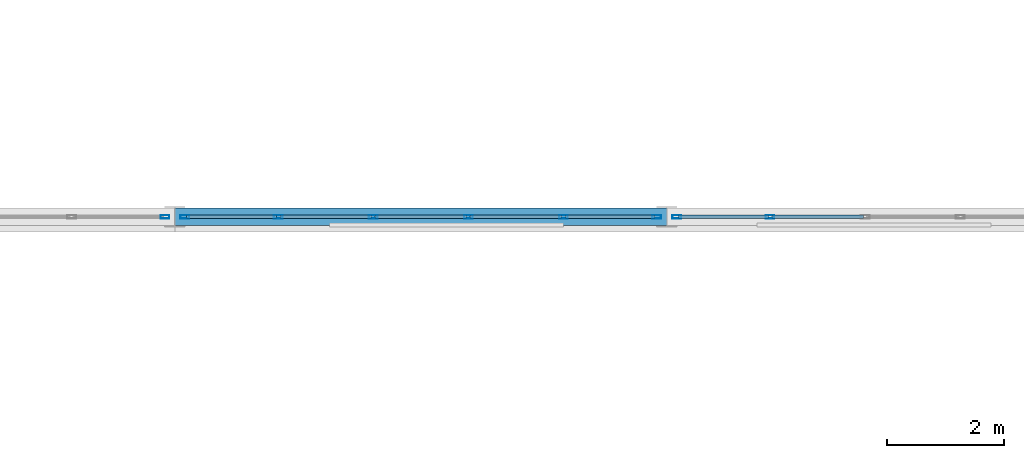
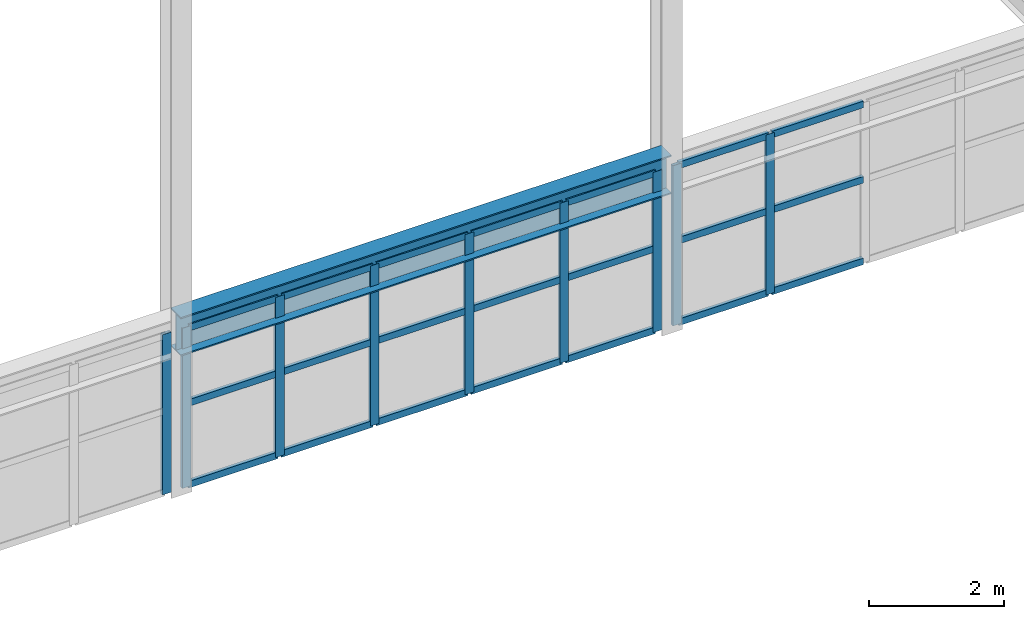
# One storey, part 128 of 218: 30 members, 1 beam, 3 elements without a shape of their own.
"""IFC4 building model written with IfcOpenShell, lengths in metres."""

import ifcopenshell
import ifcopenshell.guid

model = None  # the IFC model being written
_history = None  # IfcOwnerHistory: only IFC2X3 demands one
_inside = {}  # id of a spatial element -> (the spatial element, [elements in it])
_under = {}  # id of a project, library or spatial element -> (it, [spatial elements below it])
_declared = {}  # id of a project -> (the project, [libraries it declares])
_typed = {}  # id of a type object -> (the type object, [elements of that type])
_made_of = {}  # id of a material, layer set ... -> (it, [elements and type objects made of it])


def new_model(schema):
    """Start an empty IFC model of exactly this schema.

    Asked for "IFC4X3", IfcOpenShell would pick the latest addendum, in which some entities
    have other attributes; the version numbers below select the first issue.
    IFC2X3 requires an IfcOwnerHistory on every rooted entity: one is made here for all.
    """
    global model, _history
    if schema == "IFC4X3":
        model = ifcopenshell.file(schema_version=(4, 3, 0, 0))
    else:
        model = ifcopenshell.file(schema=schema)
    _inside.clear()
    _under.clear()
    _declared.clear()
    _typed.clear()
    _made_of.clear()
    _history = None
    if model.schema == "IFC2X3":
        org = make("IfcOrganization", Name="unknown")
        user = make(
            "IfcPersonAndOrganization",
            ThePerson=make("IfcPerson", FamilyName="unknown"),
            TheOrganization=org,
        )
        app = make(
            "IfcApplication",
            ApplicationDeveloper=org,
            Version="unknown",
            ApplicationFullName="unknown",
            ApplicationIdentifier="unknown",
        )
        _history = make(
            "IfcOwnerHistory",
            OwningUser=user,
            OwningApplication=app,
            ChangeAction="ADDED",
            CreationDate=0,
        )
    return model


def make(cls, **values):
    """One entity of the class cls with the attributes given. An attribute that is None is left unset."""
    return model.create_entity(
        cls, **{name: value for name, value in values.items() if value is not None}
    )


def rooted(cls, **values):
    """An entity with a GlobalId (a new one), such as an element, a storey or a relation."""
    return make(cls, GlobalId=ifcopenshell.guid.new(), OwnerHistory=_history, **values)


def si_unit(unit_type, name, prefix=None):
    """IfcSIUnit, for example si_unit("LENGTHUNIT", "METRE", prefix="MILLI")."""
    return make("IfcSIUnit", UnitType=unit_type, Prefix=prefix, Name=name)


def assignment(units):
    """IfcUnitAssignment: the units of a project."""
    return None if units is None else make("IfcUnitAssignment", Units=units)


def point(xyz):
    """IfcCartesianPoint."""
    return None if xyz is None else make("IfcCartesianPoint", Coordinates=xyz)


def direction(xyz):
    """IfcDirection."""
    return None if xyz is None else make("IfcDirection", DirectionRatios=xyz)


def frame(location, z_axis=None, x_axis=None):
    """IfcAxis2Placement3D, a coordinate frame: its origin and axes. An axis left out is left unset."""
    return make(
        "IfcAxis2Placement3D",
        Location=point(location),
        Axis=direction(z_axis),
        RefDirection=direction(x_axis),
    )


def frame_2d(location, x_axis=None):
    """IfcAxis2Placement2D, a coordinate frame in the plane: its origin and x axis."""
    return make(
        "IfcAxis2Placement2D", Location=point(location), RefDirection=direction(x_axis)
    )


def origin():
    """The frame at (0, 0, 0) with its axes left unset."""
    return frame((0.0, 0.0, 0.0))


def origin_2d():
    """The frame at (0, 0) in the plane with its x axis left unset."""
    return frame_2d((0.0, 0.0))


def place(relative_to, where):
    """IfcLocalPlacement: puts the frame where relative to a parent placement (None: the world)."""
    return make(
        "IfcLocalPlacement", PlacementRelTo=relative_to, RelativePlacement=where
    )


def context(
    kind, dimensions, precision=None, world=None, true_north=None, identifier=None
):
    """IfcGeometricRepresentationContext, for example the 3D "Model" context."""
    return make(
        "IfcGeometricRepresentationContext",
        ContextIdentifier=identifier,
        ContextType=kind,
        CoordinateSpaceDimension=dimensions,
        Precision=precision,
        WorldCoordinateSystem=world,
        TrueNorth=true_north,
    )


def subcontext(parent, identifier, kind, view, scale=None):
    """IfcGeometricRepresentationSubContext, for example "Body" below "Model"."""
    return make(
        "IfcGeometricRepresentationSubContext",
        ContextIdentifier=identifier,
        ContextType=kind,
        ParentContext=parent,
        TargetScale=scale,
        TargetView=view,
    )


def project(units=None, contexts=None):
    """IfcProject with its units and contexts."""
    return rooted(
        "IfcProject",
        Name="project",
        RepresentationContexts=contexts,
        UnitsInContext=assignment(units),
    )


def spatial(cls, under=None, at=None, **own):
    """A site, building, storey or space (cls), placed at a placement, below another one or the project."""
    s = rooted(cls, ObjectPlacement=at, **own)
    if under is not None:
        _under.setdefault(under.id(), (under, []))[1].append(s)
    return s


def profile(cls, at=None, kind="AREA", **sizes):
    """A parametric profile (cls). Its sizes go by their IFC names, for example OverallWidth=200.0."""
    return make(cls, ProfileType=kind, Position=at, **sizes)


def hollow_rectangle(**sizes):
    """IfcRectangleHollowProfileDef."""
    return profile("IfcRectangleHollowProfileDef", **sizes)


def i_section(**sizes):
    """IfcIShapeProfileDef."""
    return profile("IfcIShapeProfileDef", **sizes)


def extrude(swept, where, along, depth):
    """IfcExtrudedAreaSolid: the profile swept, set in the frame where, extruded along a direction by depth."""
    return make(
        "IfcExtrudedAreaSolid",
        SweptArea=swept,
        Position=where,
        ExtrudedDirection=direction(along),
        Depth=depth,
    )


def shape(context_of_items, identifier, shape_type, items):
    """IfcShapeRepresentation: the items that make up one representation, for example the "Body"."""
    return make(
        "IfcShapeRepresentation",
        ContextOfItems=context_of_items,
        RepresentationIdentifier=identifier,
        RepresentationType=shape_type,
        Items=items,
    )


def material(Name=None, Category=None):
    """IfcMaterial."""
    return make("IfcMaterial", Name=Name, Category=Category)


def material_profile(
    of_material, cross_section, Name=None, Category=None, Priority=None
):
    """IfcMaterialProfile: a cross section and its material."""
    return make(
        "IfcMaterialProfile",
        Name=Name,
        Material=of_material,
        Profile=cross_section,
        Priority=Priority,
        Category=Category,
    )


def profile_set(profiles, Name=None, composite=None):
    """IfcMaterialProfileSet."""
    return make(
        "IfcMaterialProfileSet",
        Name=Name,
        MaterialProfiles=profiles,
        CompositeProfile=composite,
    )


def made_of(thing, what):
    """Note that an element or type object is made of a material, layer set ...; save() writes the relation."""
    if what is not None:
        _made_of.setdefault(what.id(), (what, []))[1].append(thing)
    return thing


def type_object(cls, material=None, **own):
    """A type object (cls), such as IfcWallType, which elements share."""
    return made_of(rooted(cls, **own), material)


def element(
    cls,
    number,
    at=None,
    inside=None,
    cuts=None,
    type_object=None,
    material=None,
    context=None,
    identifier="Body",
    shape_type=None,
    held_by="IfcProductDefinitionShape",
    body=None,
    shapes=None,
    **own,
):
    """One element of the class cls, such as IfcWall. Its Tag is "e" and its number.

    at: its placement. inside: the storey or other place that contains it. cuts: it is an
    opening in that element (IfcRelVoidsElement). A single representation is given by context,
    identifier, shape_type and body (its items); several are given by shapes. held_by: the class
    of the entity that holds the representations. save() writes the other relations.
    """
    e = rooted(cls, Tag="e%d" % number, ObjectPlacement=at, **own)
    if body is not None:
        shapes = [shape(context, identifier, shape_type, body)]
    if shapes is not None:
        e.Representation = make(held_by, Representations=shapes)
    if inside is not None:
        _inside.setdefault(inside.id(), (inside, []))[1].append(e)
    if cuts is not None:
        rooted(
            "IfcRelVoidsElement", RelatingBuildingElement=cuts, RelatedOpeningElement=e
        )
    if type_object is not None:
        _typed.setdefault(type_object.id(), (type_object, []))[1].append(e)
    return made_of(e, material)


def aggregate(whole, parts):
    """IfcRelAggregates: a whole, such as a stair, and the parts it consists of."""
    return rooted("IfcRelAggregates", RelatingObject=whole, RelatedObjects=parts)


def save(model, path):
    """Write the relations noted so far, then the file.

    IfcRelAggregates (storeys below a building ...), IfcRelContainedInSpatialStructure (elements
    in a storey), IfcRelDefinesByType, IfcRelAssociatesMaterial and IfcRelDeclares: one each for
    every whole, place, type object, material and project.
    """
    for whole, parts in _under.values():
        aggregate(whole, parts)
    for where, things in _inside.values():
        rooted(
            "IfcRelContainedInSpatialStructure",
            RelatedElements=things,
            RelatingStructure=where,
        )
    for kind, things in _typed.values():
        rooted("IfcRelDefinesByType", RelatedObjects=things, RelatingType=kind)
    for what, things in _made_of.values():
        rooted("IfcRelAssociatesMaterial", RelatedObjects=things, RelatingMaterial=what)
    for by, libraries in _declared.values():
        rooted("IfcRelDeclares", RelatingContext=by, RelatedDefinitions=libraries)
    model.write(path)


model = new_model("IFC4")

# Units and contexts
model_context = context("Model", 3, precision=1e-05, world=origin(), true_north=direction((0.0, 1.0)))
body_context = subcontext(model_context, "Body", "Model", "MODEL_VIEW")
ifc_project = project(units=[si_unit("LENGTHUNIT", "METRE"), si_unit("AREAUNIT", "SQUARE_METRE"), si_unit("VOLUMEUNIT", "CUBIC_METRE"), si_unit("PLANEANGLEUNIT", "RADIAN"), si_unit("MASSUNIT", "GRAM", prefix="KILO")], contexts=[model_context])

# Site, building, storey
site_placement = place(None, origin())
site = spatial("IfcSite", under=ifc_project, at=site_placement, CompositionType="ELEMENT")
building_placement = place(site_placement, origin())
building = spatial("IfcBuilding", under=site, at=building_placement, Name="Kazenagashi Tramway Depot", CompositionType="ELEMENT")
storey_placement = place(building_placement, frame((0.0, 0.0, 6.0)))
storey = spatial("IfcBuildingStorey", under=building, at=storey_placement, Name="L02", CompositionType="ELEMENT", Elevation=6.0)

# Beam
ifc_material_1 = material(Name="Steel SN490B", Category="steel")
ifc_material_profile_1 = material_profile(ifc_material_1, i_section(OverallWidth=0.3, OverallDepth=0.7, WebThickness=0.013, FlangeThickness=0.024, at=origin_2d()), Name="H-700x300x13x24")
ifc_profile_set_1 = profile_set([ifc_material_profile_1], Name="Steel SN490B")
beam_type = type_object("IfcBeamType", Name="G-02", PredefinedType="BEAM", material=ifc_profile_set_1)
beam_placement = place(storey_placement, frame((128.8, 54.9, 2.85), z_axis=(1.0, 0.0, 0.0), x_axis=(0.0, 1.0, 0.0)))
element("IfcBeam", 1, at=beam_placement, inside=storey, type_object=beam_type, Name="Beam G-02 BM-1183", PredefinedType="BEAM", context=body_context, shape_type="SweptSolid", body=[
    extrude(i_section(OverallWidth=0.3, OverallDepth=0.7, WebThickness=0.013, FlangeThickness=0.024, at=origin_2d()), origin(), (0.0, 0.0, 1.0), 8.4),
])

# Curtain wall, member
ifc_material_2 = material(Name="Anodised Aluminium and Low-E Glazing", Category="aluminium")
curtain_wall_type = type_object("IfcCurtainWallType", Name="CW-21", PredefinedType="USERDEFINED", material=ifc_material_2)
curtain_wall_1_placement = place(storey_placement, origin())
curtain_wall_1 = element("IfcCurtainWall", 2, at=curtain_wall_1_placement, inside=storey, type_object=curtain_wall_type, Name="Industrial Glazed Screen CW-21 CW-0116", ObjectType="GLAZED SCREEN", PredefinedType="USERDEFINED")
ifc_material_3 = material(Name="Anodised Aluminium", Category="aluminium")
ifc_material_profile_2 = material_profile(ifc_material_3, hollow_rectangle(XDim=0.06, YDim=0.15, WallThickness=0.004, at=origin_2d()), Name="RHS-150x60x4")
ifc_profile_set_2 = profile_set([ifc_material_profile_2], Name="Anodised Aluminium")
member_type_1 = type_object("IfcMemberType", Name="ML-01", PredefinedType="MULLION", material=ifc_profile_set_2)
member_1_placement = place(storey_placement, frame((128.63, 54.9, 0.0), z_axis=(0.0, 0.0, 1.0), x_axis=(0.0, 1.0, 0.0)))
member_1 = element("IfcMember", 3, at=member_1_placement, type_object=member_type_1, Name="CW-21 mullion 6", PredefinedType="MULLION", context=body_context, shape_type="SweptSolid", body=[
    extrude(hollow_rectangle(XDim=0.06, YDim=0.15, WallThickness=0.004, at=origin_2d()), origin(), (0.0, 0.0, 1.0), 2.9),
])
aggregate(curtain_wall_1, [member_1])

# Curtain wall, members
curtain_wall_2_placement = place(storey_placement, origin())
curtain_wall_2 = element("IfcCurtainWall", 4, at=curtain_wall_2_placement, inside=storey, type_object=curtain_wall_type, Name="Industrial Glazed Screen CW-21 CW-0117", ObjectType="GLAZED SCREEN", PredefinedType="USERDEFINED")
member_2_placement = place(storey_placement, frame((128.97, 54.9, 0.0), z_axis=(0.0, 0.0, 1.0), x_axis=(0.0, 1.0, 0.0)))
member_2 = element("IfcMember", 5, at=member_2_placement, type_object=member_type_1, Name="CW-21 mullion 1", PredefinedType="MULLION", context=body_context, shape_type="SweptSolid", body=[
    extrude(hollow_rectangle(XDim=0.06, YDim=0.15, WallThickness=0.004, at=origin_2d()), origin(), (0.0, 0.0, 1.0), 2.9),
])
member_3_placement = place(storey_placement, frame((130.564, 54.9, 0.0), z_axis=(0.0, 0.0, 1.0), x_axis=(0.0, 1.0, 0.0)))
member_3 = element("IfcMember", 6, at=member_3_placement, type_object=member_type_1, Name="CW-21 mullion 2", PredefinedType="MULLION", context=body_context, shape_type="SweptSolid", body=[
    extrude(hollow_rectangle(XDim=0.06, YDim=0.15, WallThickness=0.004, at=origin_2d()), origin(), (0.0, 0.0, 1.0), 2.9),
])
member_4_placement = place(storey_placement, frame((132.188, 54.9, 0.0), z_axis=(0.0, 0.0, 1.0), x_axis=(0.0, 1.0, 0.0)))
member_4 = element("IfcMember", 7, at=member_4_placement, type_object=member_type_1, Name="CW-21 mullion 3", PredefinedType="MULLION", context=body_context, shape_type="SweptSolid", body=[
    extrude(hollow_rectangle(XDim=0.06, YDim=0.15, WallThickness=0.004, at=origin_2d()), origin(), (0.0, 0.0, 1.0), 2.9),
])
member_5_placement = place(storey_placement, frame((133.812, 54.9, 0.0), z_axis=(0.0, 0.0, 1.0), x_axis=(0.0, 1.0, 0.0)))
member_5 = element("IfcMember", 8, at=member_5_placement, type_object=member_type_1, Name="CW-21 mullion 4", PredefinedType="MULLION", context=body_context, shape_type="SweptSolid", body=[
    extrude(hollow_rectangle(XDim=0.06, YDim=0.15, WallThickness=0.004, at=origin_2d()), origin(), (0.0, 0.0, 1.0), 2.9),
])
member_6_placement = place(storey_placement, frame((135.436, 54.9, 0.0), z_axis=(0.0, 0.0, 1.0), x_axis=(0.0, 1.0, 0.0)))
member_6 = element("IfcMember", 9, at=member_6_placement, type_object=member_type_1, Name="CW-21 mullion 5", PredefinedType="MULLION", context=body_context, shape_type="SweptSolid", body=[
    extrude(hollow_rectangle(XDim=0.06, YDim=0.15, WallThickness=0.004, at=origin_2d()), origin(), (0.0, 0.0, 1.0), 2.9),
])
member_7_placement = place(storey_placement, frame((137.03, 54.9, 0.0), z_axis=(0.0, 0.0, 1.0), x_axis=(0.0, 1.0, 0.0)))
member_7 = element("IfcMember", 10, at=member_7_placement, type_object=member_type_1, Name="CW-21 mullion 6", PredefinedType="MULLION", context=body_context, shape_type="SweptSolid", body=[
    extrude(hollow_rectangle(XDim=0.06, YDim=0.15, WallThickness=0.004, at=origin_2d()), origin(), (0.0, 0.0, 1.0), 2.9),
])

curtain_wall_3_placement = place(storey_placement, origin())
curtain_wall_3 = element("IfcCurtainWall", 11, at=curtain_wall_3_placement, inside=storey, type_object=curtain_wall_type, Name="Industrial Glazed Screen CW-21 CW-0118", ObjectType="GLAZED SCREEN", PredefinedType="USERDEFINED")
member_8_placement = place(storey_placement, frame((137.37, 54.9, 0.0), z_axis=(0.0, 0.0, 1.0), x_axis=(0.0, 1.0, 0.0)))
member_8 = element("IfcMember", 12, at=member_8_placement, type_object=member_type_1, Name="CW-21 mullion 1", PredefinedType="MULLION", context=body_context, shape_type="SweptSolid", body=[
    extrude(hollow_rectangle(XDim=0.06, YDim=0.15, WallThickness=0.004, at=origin_2d()), origin(), (0.0, 0.0, 1.0), 2.9),
])
member_9_placement = place(storey_placement, frame((138.964, 54.9, 0.0), z_axis=(0.0, 0.0, 1.0), x_axis=(0.0, 1.0, 0.0)))
member_9 = element("IfcMember", 13, at=member_9_placement, type_object=member_type_1, Name="CW-21 mullion 2", PredefinedType="MULLION", context=body_context, shape_type="SweptSolid", body=[
    extrude(hollow_rectangle(XDim=0.06, YDim=0.15, WallThickness=0.004, at=origin_2d()), origin(), (0.0, 0.0, 1.0), 2.9),
])

# Member
ifc_material_profile_3 = material_profile(ifc_material_3, hollow_rectangle(XDim=0.06, YDim=0.12, WallThickness=0.004, at=origin_2d()), Name="RHS-120x60x4")
ifc_profile_set_3 = profile_set([ifc_material_profile_3], Name="Anodised Aluminium")
member_type_2 = type_object("IfcMemberType", Name="TR-01", PredefinedType="USERDEFINED", material=ifc_profile_set_3)
member_10_placement = place(storey_placement, frame((129.0, 54.9, 0.03), z_axis=(1.0, 0.0, 0.0), x_axis=(0.0, 1.0, 0.0)))
member_10 = element("IfcMember", 14, at=member_10_placement, type_object=member_type_2, Name="CW-21 transom 1.1", ObjectType="TRANSOM", PredefinedType="USERDEFINED", context=body_context, shape_type="SweptSolid", body=[
    extrude(hollow_rectangle(XDim=0.06, YDim=0.12, WallThickness=0.004, at=origin_2d()), origin(), (0.0, 0.0, 1.0), 1.534),
])

member_11_placement = place(storey_placement, frame((129.0, 54.9, 1.508), z_axis=(1.0, 0.0, 0.0), x_axis=(0.0, 1.0, 0.0)))
member_11 = element("IfcMember", 15, at=member_11_placement, type_object=member_type_2, Name="CW-21 transom 1.2", ObjectType="TRANSOM", PredefinedType="USERDEFINED", context=body_context, shape_type="SweptSolid", body=[
    extrude(hollow_rectangle(XDim=0.06, YDim=0.12, WallThickness=0.004, at=origin_2d()), origin(), (0.0, 0.0, 1.0), 1.534),
])

member_12_placement = place(storey_placement, frame((129.0, 54.9, 2.87), z_axis=(1.0, 0.0, 0.0), x_axis=(0.0, 1.0, 0.0)))
member_12 = element("IfcMember", 16, at=member_12_placement, type_object=member_type_2, Name="CW-21 transom 1.3", ObjectType="TRANSOM", PredefinedType="USERDEFINED", context=body_context, shape_type="SweptSolid", body=[
    extrude(hollow_rectangle(XDim=0.06, YDim=0.12, WallThickness=0.004, at=origin_2d()), origin(), (0.0, 0.0, 1.0), 1.534),
])

member_13_placement = place(storey_placement, frame((130.594, 54.9, 0.03), z_axis=(1.0, 0.0, 0.0), x_axis=(0.0, 1.0, 0.0)))
member_13 = element("IfcMember", 17, at=member_13_placement, type_object=member_type_2, Name="CW-21 transom 2.1", ObjectType="TRANSOM", PredefinedType="USERDEFINED", context=body_context, shape_type="SweptSolid", body=[
    extrude(hollow_rectangle(XDim=0.06, YDim=0.12, WallThickness=0.004, at=origin_2d()), origin(), (0.0, 0.0, 1.0), 1.564),
])

member_14_placement = place(storey_placement, frame((130.594, 54.9, 1.508), z_axis=(1.0, 0.0, 0.0), x_axis=(0.0, 1.0, 0.0)))
member_14 = element("IfcMember", 18, at=member_14_placement, type_object=member_type_2, Name="CW-21 transom 2.2", ObjectType="TRANSOM", PredefinedType="USERDEFINED", context=body_context, shape_type="SweptSolid", body=[
    extrude(hollow_rectangle(XDim=0.06, YDim=0.12, WallThickness=0.004, at=origin_2d()), origin(), (0.0, 0.0, 1.0), 1.564),
])

member_15_placement = place(storey_placement, frame((130.594, 54.9, 2.87), z_axis=(1.0, 0.0, 0.0), x_axis=(0.0, 1.0, 0.0)))
member_15 = element("IfcMember", 19, at=member_15_placement, type_object=member_type_2, Name="CW-21 transom 2.3", ObjectType="TRANSOM", PredefinedType="USERDEFINED", context=body_context, shape_type="SweptSolid", body=[
    extrude(hollow_rectangle(XDim=0.06, YDim=0.12, WallThickness=0.004, at=origin_2d()), origin(), (0.0, 0.0, 1.0), 1.564),
])

member_16_placement = place(storey_placement, frame((132.218, 54.9, 0.03), z_axis=(1.0, 0.0, 0.0), x_axis=(0.0, 1.0, 0.0)))
member_16 = element("IfcMember", 20, at=member_16_placement, type_object=member_type_2, Name="CW-21 transom 3.1", ObjectType="TRANSOM", PredefinedType="USERDEFINED", context=body_context, shape_type="SweptSolid", body=[
    extrude(hollow_rectangle(XDim=0.06, YDim=0.12, WallThickness=0.004, at=origin_2d()), origin(), (0.0, 0.0, 1.0), 1.564),
])

member_17_placement = place(storey_placement, frame((132.218, 54.9, 1.508), z_axis=(1.0, 0.0, 0.0), x_axis=(0.0, 1.0, 0.0)))
member_17 = element("IfcMember", 21, at=member_17_placement, type_object=member_type_2, Name="CW-21 transom 3.2", ObjectType="TRANSOM", PredefinedType="USERDEFINED", context=body_context, shape_type="SweptSolid", body=[
    extrude(hollow_rectangle(XDim=0.06, YDim=0.12, WallThickness=0.004, at=origin_2d()), origin(), (0.0, 0.0, 1.0), 1.564),
])

member_18_placement = place(storey_placement, frame((132.218, 54.9, 2.87), z_axis=(1.0, 0.0, 0.0), x_axis=(0.0, 1.0, 0.0)))
member_18 = element("IfcMember", 22, at=member_18_placement, type_object=member_type_2, Name="CW-21 transom 3.3", ObjectType="TRANSOM", PredefinedType="USERDEFINED", context=body_context, shape_type="SweptSolid", body=[
    extrude(hollow_rectangle(XDim=0.06, YDim=0.12, WallThickness=0.004, at=origin_2d()), origin(), (0.0, 0.0, 1.0), 1.564),
])

member_19_placement = place(storey_placement, frame((133.842, 54.9, 0.03), z_axis=(1.0, 0.0, 0.0), x_axis=(0.0, 1.0, 0.0)))
member_19 = element("IfcMember", 23, at=member_19_placement, type_object=member_type_2, Name="CW-21 transom 4.1", ObjectType="TRANSOM", PredefinedType="USERDEFINED", context=body_context, shape_type="SweptSolid", body=[
    extrude(hollow_rectangle(XDim=0.06, YDim=0.12, WallThickness=0.004, at=origin_2d()), origin(), (0.0, 0.0, 1.0), 1.564),
])

member_20_placement = place(storey_placement, frame((133.842, 54.9, 1.508), z_axis=(1.0, 0.0, 0.0), x_axis=(0.0, 1.0, 0.0)))
member_20 = element("IfcMember", 24, at=member_20_placement, type_object=member_type_2, Name="CW-21 transom 4.2", ObjectType="TRANSOM", PredefinedType="USERDEFINED", context=body_context, shape_type="SweptSolid", body=[
    extrude(hollow_rectangle(XDim=0.06, YDim=0.12, WallThickness=0.004, at=origin_2d()), origin(), (0.0, 0.0, 1.0), 1.564),
])

member_21_placement = place(storey_placement, frame((133.842, 54.9, 2.87), z_axis=(1.0, 0.0, 0.0), x_axis=(0.0, 1.0, 0.0)))
member_21 = element("IfcMember", 25, at=member_21_placement, type_object=member_type_2, Name="CW-21 transom 4.3", ObjectType="TRANSOM", PredefinedType="USERDEFINED", context=body_context, shape_type="SweptSolid", body=[
    extrude(hollow_rectangle(XDim=0.06, YDim=0.12, WallThickness=0.004, at=origin_2d()), origin(), (0.0, 0.0, 1.0), 1.564),
])

member_22_placement = place(storey_placement, frame((135.466, 54.9, 0.03), z_axis=(1.0, 0.0, 0.0), x_axis=(0.0, 1.0, 0.0)))
member_22 = element("IfcMember", 26, at=member_22_placement, type_object=member_type_2, Name="CW-21 transom 5.1", ObjectType="TRANSOM", PredefinedType="USERDEFINED", context=body_context, shape_type="SweptSolid", body=[
    extrude(hollow_rectangle(XDim=0.06, YDim=0.12, WallThickness=0.004, at=origin_2d()), origin(), (0.0, 0.0, 1.0), 1.534),
])

member_23_placement = place(storey_placement, frame((135.466, 54.9, 1.508), z_axis=(1.0, 0.0, 0.0), x_axis=(0.0, 1.0, 0.0)))
member_23 = element("IfcMember", 27, at=member_23_placement, type_object=member_type_2, Name="CW-21 transom 5.2", ObjectType="TRANSOM", PredefinedType="USERDEFINED", context=body_context, shape_type="SweptSolid", body=[
    extrude(hollow_rectangle(XDim=0.06, YDim=0.12, WallThickness=0.004, at=origin_2d()), origin(), (0.0, 0.0, 1.0), 1.534),
])

member_24_placement = place(storey_placement, frame((135.466, 54.9, 2.87), z_axis=(1.0, 0.0, 0.0), x_axis=(0.0, 1.0, 0.0)))
member_24 = element("IfcMember", 28, at=member_24_placement, type_object=member_type_2, Name="CW-21 transom 5.3", ObjectType="TRANSOM", PredefinedType="USERDEFINED", context=body_context, shape_type="SweptSolid", body=[
    extrude(hollow_rectangle(XDim=0.06, YDim=0.12, WallThickness=0.004, at=origin_2d()), origin(), (0.0, 0.0, 1.0), 1.534),
])

aggregate(curtain_wall_2, [member_2, member_3, member_4, member_5, member_6, member_7, member_10, member_11, member_12, member_13, member_14, member_15, member_16, member_17, member_18, member_19, member_20, member_21, member_22, member_23, member_24])

member_25_placement = place(storey_placement, frame((137.4, 54.9, 0.03), z_axis=(1.0, 0.0, 0.0), x_axis=(0.0, 1.0, 0.0)))
member_25 = element("IfcMember", 29, at=member_25_placement, type_object=member_type_2, Name="CW-21 transom 1.1", ObjectType="TRANSOM", PredefinedType="USERDEFINED", context=body_context, shape_type="SweptSolid", body=[
    extrude(hollow_rectangle(XDim=0.06, YDim=0.12, WallThickness=0.004, at=origin_2d()), origin(), (0.0, 0.0, 1.0), 1.534),
])

member_26_placement = place(storey_placement, frame((137.4, 54.9, 1.508), z_axis=(1.0, 0.0, 0.0), x_axis=(0.0, 1.0, 0.0)))
member_26 = element("IfcMember", 30, at=member_26_placement, type_object=member_type_2, Name="CW-21 transom 1.2", ObjectType="TRANSOM", PredefinedType="USERDEFINED", context=body_context, shape_type="SweptSolid", body=[
    extrude(hollow_rectangle(XDim=0.06, YDim=0.12, WallThickness=0.004, at=origin_2d()), origin(), (0.0, 0.0, 1.0), 1.534),
])

member_27_placement = place(storey_placement, frame((137.4, 54.9, 2.87), z_axis=(1.0, 0.0, 0.0), x_axis=(0.0, 1.0, 0.0)))
member_27 = element("IfcMember", 31, at=member_27_placement, type_object=member_type_2, Name="CW-21 transom 1.3", ObjectType="TRANSOM", PredefinedType="USERDEFINED", context=body_context, shape_type="SweptSolid", body=[
    extrude(hollow_rectangle(XDim=0.06, YDim=0.12, WallThickness=0.004, at=origin_2d()), origin(), (0.0, 0.0, 1.0), 1.534),
])

member_28_placement = place(storey_placement, frame((138.994, 54.9, 0.03), z_axis=(1.0, 0.0, 0.0), x_axis=(0.0, 1.0, 0.0)))
member_28 = element("IfcMember", 32, at=member_28_placement, type_object=member_type_2, Name="CW-21 transom 2.1", ObjectType="TRANSOM", PredefinedType="USERDEFINED", context=body_context, shape_type="SweptSolid", body=[
    extrude(hollow_rectangle(XDim=0.06, YDim=0.12, WallThickness=0.004, at=origin_2d()), origin(), (0.0, 0.0, 1.0), 1.564),
])

member_29_placement = place(storey_placement, frame((138.994, 54.9, 1.508), z_axis=(1.0, 0.0, 0.0), x_axis=(0.0, 1.0, 0.0)))
member_29 = element("IfcMember", 33, at=member_29_placement, type_object=member_type_2, Name="CW-21 transom 2.2", ObjectType="TRANSOM", PredefinedType="USERDEFINED", context=body_context, shape_type="SweptSolid", body=[
    extrude(hollow_rectangle(XDim=0.06, YDim=0.12, WallThickness=0.004, at=origin_2d()), origin(), (0.0, 0.0, 1.0), 1.564),
])

member_30_placement = place(storey_placement, frame((138.994, 54.9, 2.87), z_axis=(1.0, 0.0, 0.0), x_axis=(0.0, 1.0, 0.0)))
member_30 = element("IfcMember", 34, at=member_30_placement, type_object=member_type_2, Name="CW-21 transom 2.3", ObjectType="TRANSOM", PredefinedType="USERDEFINED", context=body_context, shape_type="SweptSolid", body=[
    extrude(hollow_rectangle(XDim=0.06, YDim=0.12, WallThickness=0.004, at=origin_2d()), origin(), (0.0, 0.0, 1.0), 1.564),
])

aggregate(curtain_wall_3, [member_8, member_9, member_25, member_26, member_27, member_28, member_29, member_30])

save(model, "model.ifc")
